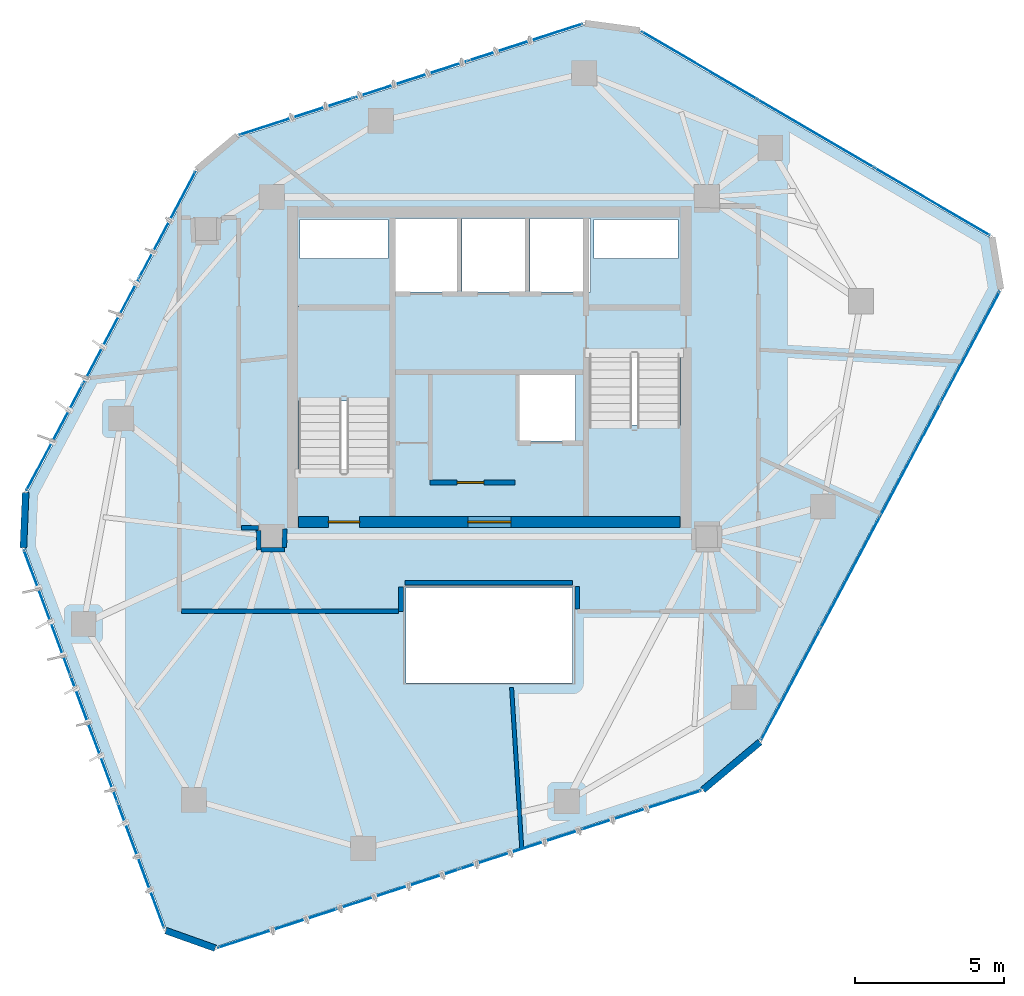
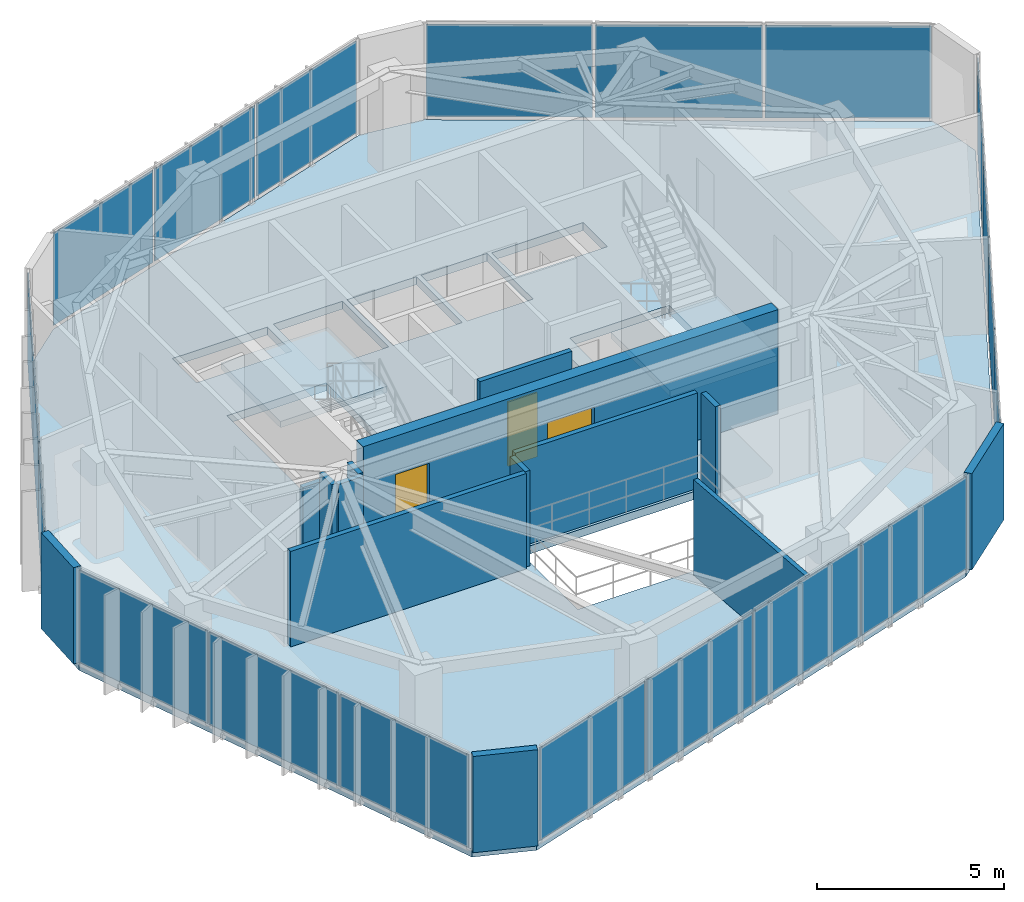
# One storey, part 15 of 19: 20 plates, 14 walls, 3 doors, 3 slabs, 3 openings, 8 elements without a shape of their own.
"""IFC4 building model written with IfcOpenShell, lengths in metres."""

from ifc_helpers import new_model, si_unit, direction, frame, frame_2d, origin, origin_2d, place, context, subcontext, project, spatial, polyline, rectangle, outline, extrude, source, transform, mapped, material, layer, layer_set, type_object, type_shapes, element, fill, aggregate, save


model = new_model("IFC4")

# Units and contexts
model_context = context("Model", 3, precision=1e-05, world=origin(), true_north=direction((0.0, 1.0)))
body_context = subcontext(model_context, "Body", "Model", "MODEL_VIEW")
ifc_project = project(units=[si_unit("LENGTHUNIT", "METRE"), si_unit("AREAUNIT", "SQUARE_METRE"), si_unit("VOLUMEUNIT", "CUBIC_METRE"), si_unit("PLANEANGLEUNIT", "RADIAN"), si_unit("MASSUNIT", "GRAM", prefix="KILO")], contexts=[model_context])

# Site, building, storey
site_placement = place(None, origin())
site = spatial("IfcSite", under=ifc_project, at=site_placement, CompositionType="ELEMENT")
building_placement = place(site_placement, origin())
building = spatial("IfcBuilding", under=site, at=building_placement, Name="Talar Marvaseh", CompositionType="ELEMENT")
storey_placement = place(building_placement, frame((0.0, 0.0, 288.39990234375)))
storey = spatial("IfcBuildingStorey", under=building, at=storey_placement, Name="L77", CompositionType="ELEMENT", Elevation=288.39990234375)

# Stair, slab
ifc_material_1 = material(Name="Concrete C40/50", Category="concrete")
stair_type = type_object("IfcStairType", Name="Reinforced Concrete High-Rise Exit Stair Type C", PredefinedType="HALF_TURN_STAIR", material=ifc_material_1)
stair_1_placement = place(storey_placement, origin())
stair_1 = element("IfcStair", 1, at=stair_1_placement, inside=storey, type_object=stair_type, Name="L77 Tower West Core Exit Stair", PredefinedType="HALF_TURN_STAIR")
ifc_layer_1 = layer(ifc_material_1, 0.199951171875)
ifc_layer_set_1 = layer_set([ifc_layer_1], Name="Concrete C40/50")
slab_type_1 = type_object("IfcSlabType", Name="Reinforced Concrete Stair Half-Landing Slab 200", PredefinedType="LANDING", material=ifc_layer_set_1)
slab_1_placement = place(storey_placement, frame((0.0, 0.0, 1.5)))
slab_1 = element("IfcSlab", 2, at=slab_1_placement, type_object=slab_type_1, Name="ST-1 landing 1", PredefinedType="LANDING", context=body_context, shape_type="SweptSolid", body=[
    extrude(outline(polyline([(22.780029296875, 30.050048828125), (22.780029296875, 33.219970703125), (19.47998046875, 33.219970703125), (19.47998046875, 30.050048828125), (22.780029296875, 30.050048828125)])), origin(), (0.0, 0.0, 1.0), 0.2001953125),
])
aggregate(stair_1, [slab_1])

stair_2_placement = place(storey_placement, origin())
stair_2 = element("IfcStair", 3, at=stair_2_placement, inside=storey, type_object=stair_type, Name="L77 Tower East Core Exit Stair", PredefinedType="HALF_TURN_STAIR")
slab_2_placement = place(storey_placement, frame((0.0, 0.0, 1.5)))
slab_2 = element("IfcSlab", 4, at=slab_2_placement, type_object=slab_type_1, Name="ST-2 landing 1", PredefinedType="LANDING", context=body_context, shape_type="SweptSolid", body=[
    extrude(outline(polyline([(29.219970703125, 29.25), (29.219970703125, 26.080078125), (32.52001953125, 26.080078125), (32.52001953125, 29.25), (29.219970703125, 29.25)])), origin(), (0.0, 0.0, 1.0), 0.2001953125),
])
aggregate(stair_2, [slab_2])

# Slab
ifc_layer_2 = layer(ifc_material_1, 0.260009765625)
ifc_layer_set_2 = layer_set([ifc_layer_2], Name="Concrete C40/50")
slab_type_2 = type_object("IfcSlabType", Name="Structural Suspended Floor Slab 260", PredefinedType="FLOOR", material=ifc_layer_set_2)
slab_3_placement = place(storey_placement, frame((0.0, 0.0, -0.260009765625)))
element("IfcSlab", 5, at=slab_3_placement, inside=storey, type_object=slab_type_2, Name="L77 Tower Floor Slab", PredefinedType="FLOOR", context=body_context, shape_type="SweptSolid", body=[
    extrude(outline(polyline([(16.8271484375, 11.7529296875), (15.1708984375, 12.341796875), (10.43017578125, 25.1259765625), (10.507080078125, 26.980712890625), (16.224609375, 37.764892578125), (17.588623046875, 38.9091796875), (29.20166015625, 42.66748046875), (31.041748046875, 42.4208984375), (42.808349609375, 35.532470703125), (43.1005859375, 33.799072265625), (35.04931640625, 18.662109375), (33.13232421875, 17.053466796875), (16.8271484375, 11.7529296875)]), holes=[polyline([(22.659912109375, 27.64990234375), (22.659912109375, 33.10009765625), (19.60009765625, 33.10009765625), (19.60009765625, 27.64990234375), (22.659912109375, 27.64990234375)]), polyline([(29.340087890625, 31.64990234375), (29.340087890625, 26.199951171875), (32.39990234375, 26.199951171875), (32.39990234375, 31.64990234375), (29.340087890625, 31.64990234375)]), polyline([(22.800048828125, 33.719970703125), (24.93994140625, 33.719970703125), (24.93994140625, 36.179931640625), (22.800048828125, 36.179931640625), (22.800048828125, 33.719970703125)]), polyline([(25.080078125, 33.719970703125), (27.219970703125, 33.719970703125), (27.219970703125, 36.179931640625), (25.080078125, 36.179931640625), (25.080078125, 33.719970703125)]), polyline([(27.360107421875, 33.719970703125), (29.39990234375, 33.719970703125), (29.39990234375, 36.179931640625), (27.360107421875, 36.179931640625), (27.360107421875, 33.719970703125)]), polyline([(27.02001953125, 28.719970703125), (28.89990234375, 28.719970703125), (28.89990234375, 30.93994140625), (27.02001953125, 30.93994140625), (27.02001953125, 28.719970703125)]), polyline([(19.659912109375, 34.840087890625), (22.60009765625, 34.840087890625), (22.60009765625, 36.139892578125), (19.659912109375, 36.139892578125), (19.659912109375, 34.840087890625)]), polyline([(29.52001953125, 34.840087890625), (32.340087890625, 34.840087890625), (32.340087890625, 36.139892578125), (29.52001953125, 36.139892578125), (29.52001953125, 34.840087890625)]), polyline([(23.199951171875, 20.60009765625), (28.800048828125, 20.60009765625), (28.800048828125, 23.800048828125), (23.199951171875, 23.800048828125), (23.199951171875, 20.60009765625)])]), origin(), (0.0, 0.0, 1.0), 0.260009765625),
])

# Curtain wall, plates
ifc_material_2 = material(Name="Architectural Aluminium", Category="aluminium")
ifc_layer_3 = layer(ifc_material_2, 0.179931640625)
ifc_layer_set_3 = layer_set([ifc_layer_3], Name="Architectural Aluminium")
curtain_wall_type = type_object("IfcCurtainWallType", Name="Unitised High-Wind Sky Curtain Wall Z4", PredefinedType="NOTDEFINED", material=ifc_layer_set_3)
curtain_wall_1_placement = place(storey_placement, origin())
curtain_wall_1 = element("IfcCurtainWall", 6, at=curtain_wall_1_placement, inside=storey, type_object=curtain_wall_type, Name="L77 Unitised High-Wind Sky Curtain Wall Z4", PredefinedType="NOTDEFINED")
ifc_material_3 = material(Name="Laminated Low-E Solar Glass", Category="glass")
ifc_layer_4 = layer(ifc_material_3, 0.028076171875)
ifc_layer_set_4 = layer_set([ifc_layer_4], Name="Laminated Low-E Solar Glass")
plate_type = type_object("IfcPlateType", Name="Double-Glazed Low-E Vision Curtain Panel 28", PredefinedType="CURTAIN_PANEL", material=ifc_layer_set_4)
shared_shape_1 = source(origin(), body_context, "Body", "SweptSolid", [
    extrude(rectangle(XDim=4.447509765625, YDim=0.028076171875, at=origin_2d()), origin(), (0.0, 0.0, 1.0), 3.010009765625),
])
plate_1_placement = place(storey_placement, frame((33.047119140625, 41.31640625, 0.06494140625), z_axis=(0.0, 0.0, 1.0), x_axis=(0.862990993638, -0.505219303768, 0.0)))
plate_1 = element("IfcPlate", 7, at=plate_1_placement, type_object=plate_type, Name="CW-Z4 panel 1.1", PredefinedType="CURTAIN_PANEL", context=body_context, shape_type="MappedRepresentation", body=[
    mapped(shared_shape_1, transform((0.0, 0.0, 0.0), x_axis=(1.0, 0.0, 0.0), y_axis=(0.0, 1.0, 0.0), z_axis=(0.0, 0.0, 1.0), scale=1.0)),
])
plate_2_placement = place(storey_placement, frame((40.863525390625, 36.740478515625, 0.06494140625), z_axis=(0.0, 0.0, 1.0), x_axis=(0.862990993638, -0.505219303768, 0.0)))
plate_2 = element("IfcPlate", 8, at=plate_2_placement, type_object=plate_type, Name="CW-Z4 panel 3.1", PredefinedType="CURTAIN_PANEL", context=body_context, shape_type="MappedRepresentation", body=[
    mapped(shared_shape_1, transform((0.0, 0.0, 0.0), x_axis=(1.0, 0.0, 0.0), y_axis=(0.0, 1.0, 0.0), z_axis=(0.0, 0.0, 1.0), scale=1.0)),
])

# Curtain wall, plate
curtain_wall_2_placement = place(storey_placement, origin())
curtain_wall_2 = element("IfcCurtainWall", 9, at=curtain_wall_2_placement, inside=storey, type_object=curtain_wall_type, Name="L77 Unitised High-Wind Sky Curtain Wall Z4", PredefinedType="NOTDEFINED")
shared_shape_2 = source(origin(), body_context, "Body", "SweptSolid", [
    extrude(rectangle(XDim=4.47998046875, YDim=0.028076171875, at=origin_2d()), origin(), (0.0, 0.0, 1.0), 3.010009765625),
])
plate_3_placement = place(storey_placement, frame((12.744140625, 18.712890625, 0.06494140625), z_axis=(0.0, 0.0, 1.0), x_axis=(-0.347687446125, 0.937610494719, 0.0)))
plate_3 = element("IfcPlate", 10, at=plate_3_placement, type_object=plate_type, Name="CW-Z4 panel 2.1", PredefinedType="CURTAIN_PANEL", context=body_context, shape_type="MappedRepresentation", body=[
    mapped(shared_shape_2, transform((0.0, 0.0, 0.0), x_axis=(1.0, 0.0, 0.0), y_axis=(0.0, 1.0, 0.0), z_axis=(0.0, 0.0, 1.0), scale=1.0)),
])

# Plate
plate_4_placement = place(storey_placement, frame((36.955322265625, 39.028564453125, 0.06494140625), z_axis=(0.0, 0.0, 1.0), x_axis=(0.862990993638, -0.505219303768, 0.0)))
plate_4 = element("IfcPlate", 11, at=plate_4_placement, type_object=plate_type, Name="CW-Z4 panel 2.1", PredefinedType="CURTAIN_PANEL", context=body_context, shape_type="MappedRepresentation", body=[
    mapped(shared_shape_2, transform((0.0, 0.0, 0.0), x_axis=(1.0, 0.0, 0.0), y_axis=(0.0, 1.0, 0.0), z_axis=(0.0, 0.0, 1.0), scale=1.0)),
])

aggregate(curtain_wall_1, [plate_1, plate_4, plate_2])

# Curtain wall, plates
curtain_wall_3_placement = place(storey_placement, origin())
curtain_wall_3 = element("IfcCurtainWall", 12, at=curtain_wall_3_placement, inside=storey, type_object=curtain_wall_type, Name="L77 Unitised High-Wind Sky Curtain Wall Z4", PredefinedType="NOTDEFINED")
shared_shape_3 = source(origin(), body_context, "Body", "SweptSolid", [
    extrude(rectangle(XDim=3.97119140625, YDim=0.028076171875, at=origin_2d()), origin(), (0.0, 0.0, 1.0), 3.010009765625),
])
plate_5_placement = place(storey_placement, frame((11.41455078125, 28.820556640625, 0.06494140625), z_axis=(0.0, 0.0, 1.0), x_axis=(0.468420274674, 0.883505770369, 0.0)))
plate_5 = element("IfcPlate", 13, at=plate_5_placement, type_object=plate_type, Name="CW-Z4 panel 1.1", PredefinedType="CURTAIN_PANEL", context=body_context, shape_type="MappedRepresentation", body=[
    mapped(shared_shape_3, transform((0.0, 0.0, 0.0), x_axis=(1.0, 0.0, 0.0), y_axis=(0.0, 1.0, 0.0), z_axis=(0.0, 0.0, 1.0), scale=1.0)),
])
plate_6_placement = place(storey_placement, frame((15.211181640625, 35.981201171875, 0.06494140625), z_axis=(0.0, 0.0, 1.0), x_axis=(0.468420274674, 0.883505770369, 0.0)))
plate_6 = element("IfcPlate", 14, at=plate_6_placement, type_object=plate_type, Name="CW-Z4 panel 3.1", PredefinedType="CURTAIN_PANEL", context=body_context, shape_type="MappedRepresentation", body=[
    mapped(shared_shape_3, transform((0.0, 0.0, 0.0), x_axis=(1.0, 0.0, 0.0), y_axis=(0.0, 1.0, 0.0), z_axis=(0.0, 0.0, 1.0), scale=1.0)),
])

curtain_wall_4_placement = place(storey_placement, origin())
curtain_wall_4 = element("IfcCurtainWall", 15, at=curtain_wall_4_placement, inside=storey, type_object=curtain_wall_type, Name="L77 Unitised High-Wind Sky Curtain Wall Z4", PredefinedType="NOTDEFINED")
plate_7_placement = place(storey_placement, frame((19.52099609375, 39.59765625, 0.06494140625), z_axis=(0.0, 0.0, 1.0), x_axis=(0.951422427346, 0.307888558966, 0.0)))
plate_7 = element("IfcPlate", 16, at=plate_7_placement, type_object=plate_type, Name="CW-Z4 panel 1.1", PredefinedType="CURTAIN_PANEL", context=body_context, shape_type="MappedRepresentation", body=[
    mapped(shared_shape_3, transform((0.0, 0.0, 0.0), x_axis=(1.0, 0.0, 0.0), y_axis=(0.0, 1.0, 0.0), z_axis=(0.0, 0.0, 1.0), scale=1.0)),
])
plate_8_placement = place(storey_placement, frame((27.232177734375, 42.09326171875, 0.06494140625), z_axis=(0.0, 0.0, 1.0), x_axis=(0.951422427346, 0.307888558966, 0.0)))
plate_8 = element("IfcPlate", 17, at=plate_8_placement, type_object=plate_type, Name="CW-Z4 panel 3.1", PredefinedType="CURTAIN_PANEL", context=body_context, shape_type="MappedRepresentation", body=[
    mapped(shared_shape_3, transform((0.0, 0.0, 0.0), x_axis=(1.0, 0.0, 0.0), y_axis=(0.0, 1.0, 0.0), z_axis=(0.0, 0.0, 1.0), scale=1.0)),
])

# Plate
shared_shape_4 = source(origin(), body_context, "Body", "SweptSolid", [
    extrude(rectangle(XDim=4.003662109375, YDim=0.028076171875, at=origin_2d()), origin(), (0.0, 0.0, 1.0), 3.010009765625),
])
plate_9_placement = place(storey_placement, frame((13.312744140625, 32.40087890625, 0.06494140625), z_axis=(0.0, 0.0, 1.0), x_axis=(0.468420274674, 0.883505770369, 0.0)))
plate_9 = element("IfcPlate", 18, at=plate_9_placement, type_object=plate_type, Name="CW-Z4 panel 2.1", PredefinedType="CURTAIN_PANEL", context=body_context, shape_type="MappedRepresentation", body=[
    mapped(shared_shape_4, transform((0.0, 0.0, 0.0), x_axis=(1.0, 0.0, 0.0), y_axis=(0.0, 1.0, 0.0), z_axis=(0.0, 0.0, 1.0), scale=1.0)),
])

aggregate(curtain_wall_3, [plate_5, plate_9, plate_6])

plate_10_placement = place(storey_placement, frame((23.376708984375, 40.845458984375, 0.06494140625), z_axis=(0.0, 0.0, 1.0), x_axis=(0.951422427346, 0.307888558966, 0.0)))
plate_10 = element("IfcPlate", 19, at=plate_10_placement, type_object=plate_type, Name="CW-Z4 panel 2.1", PredefinedType="CURTAIN_PANEL", context=body_context, shape_type="MappedRepresentation", body=[
    mapped(shared_shape_4, transform((0.0, 0.0, 0.0), x_axis=(1.0, 0.0, 0.0), y_axis=(0.0, 1.0, 0.0), z_axis=(0.0, 0.0, 1.0), scale=1.0)),
])

aggregate(curtain_wall_4, [plate_7, plate_10, plate_8])

# Curtain wall, plates
curtain_wall_5_placement = place(storey_placement, origin())
curtain_wall_5 = element("IfcCurtainWall", 20, at=curtain_wall_5_placement, inside=storey, type_object=curtain_wall_type, Name="L77 Unitised High-Wind Sky Curtain Wall Z4", PredefinedType="NOTDEFINED")
shared_shape_5 = source(origin(), body_context, "Body", "SweptSolid", [
    extrude(rectangle(XDim=4.188720703125, YDim=0.028076171875, at=origin_2d()), origin(), (0.0, 0.0, 1.0), 3.010009765625),
])
plate_11_placement = place(storey_placement, frame((42.1396484375, 31.8642578125, 0.06494140625), z_axis=(0.0, 0.0, 1.0), x_axis=(-0.469604073854, -0.882877122718, 0.0)))
plate_11 = element("IfcPlate", 21, at=plate_11_placement, type_object=plate_type, Name="CW-Z4 panel 1.1", PredefinedType="CURTAIN_PANEL", context=body_context, shape_type="MappedRepresentation", body=[
    mapped(shared_shape_5, transform((0.0, 0.0, 0.0), x_axis=(1.0, 0.0, 0.0), y_axis=(0.0, 1.0, 0.0), z_axis=(0.0, 0.0, 1.0), scale=1.0)),
])
plate_12_placement = place(storey_placement, frame((36.116455078125, 20.540283203125, 0.06494140625), z_axis=(0.0, 0.0, 1.0), x_axis=(-0.469604073854, -0.882877122718, 0.0)))
plate_12 = element("IfcPlate", 22, at=plate_12_placement, type_object=plate_type, Name="CW-Z4 panel 4.1", PredefinedType="CURTAIN_PANEL", context=body_context, shape_type="MappedRepresentation", body=[
    mapped(shared_shape_5, transform((0.0, 0.0, 0.0), x_axis=(1.0, 0.0, 0.0), y_axis=(0.0, 1.0, 0.0), z_axis=(0.0, 0.0, 1.0), scale=1.0)),
])

curtain_wall_6_placement = place(storey_placement, origin())
curtain_wall_6 = element("IfcCurtainWall", 23, at=curtain_wall_6_placement, inside=storey, type_object=curtain_wall_type, Name="L77 Unitised High-Wind Sky Curtain Wall Z4", PredefinedType="NOTDEFINED")
plate_13_placement = place(storey_placement, frame((31.09716796875, 16.328857421875, 0.06494140625), z_axis=(0.0, 0.0, 1.0), x_axis=(-0.95100933406, -0.309162168659, 0.0)))
plate_13 = element("IfcPlate", 24, at=plate_13_placement, type_object=plate_type, Name="CW-Z4 panel 1.1", PredefinedType="CURTAIN_PANEL", context=body_context, shape_type="MappedRepresentation", body=[
    mapped(shared_shape_5, transform((0.0, 0.0, 0.0), x_axis=(1.0, 0.0, 0.0), y_axis=(0.0, 1.0, 0.0), z_axis=(0.0, 0.0, 1.0), scale=1.0)),
])
plate_14_placement = place(storey_placement, frame((18.899169921875, 12.36328125, 0.06494140625), z_axis=(0.0, 0.0, 1.0), x_axis=(-0.95100933406, -0.309162168659, 0.0)))
plate_14 = element("IfcPlate", 25, at=plate_14_placement, type_object=plate_type, Name="CW-Z4 panel 4.1", PredefinedType="CURTAIN_PANEL", context=body_context, shape_type="MappedRepresentation", body=[
    mapped(shared_shape_5, transform((0.0, 0.0, 0.0), x_axis=(1.0, 0.0, 0.0), y_axis=(0.0, 1.0, 0.0), z_axis=(0.0, 0.0, 1.0), scale=1.0)),
])

# Plate
shared_shape_6 = source(origin(), body_context, "Body", "SweptSolid", [
    extrude(rectangle(XDim=4.22119140625, YDim=0.028076171875, at=origin_2d()), origin(), (0.0, 0.0, 1.0), 3.010009765625),
])
plate_15_placement = place(storey_placement, frame((40.134521484375, 28.094482421875, 0.06494140625), z_axis=(0.0, 0.0, 1.0), x_axis=(-0.469604073854, -0.882877122718, 0.0)))
plate_15 = element("IfcPlate", 26, at=plate_15_placement, type_object=plate_type, Name="CW-Z4 panel 2.1", PredefinedType="CURTAIN_PANEL", context=body_context, shape_type="MappedRepresentation", body=[
    mapped(shared_shape_6, transform((0.0, 0.0, 0.0), x_axis=(1.0, 0.0, 0.0), y_axis=(0.0, 1.0, 0.0), z_axis=(0.0, 0.0, 1.0), scale=1.0)),
])

plate_16_placement = place(storey_placement, frame((38.12158203125, 24.31005859375, 0.06494140625), z_axis=(0.0, 0.0, 1.0), x_axis=(-0.469604073854, -0.882877122718, 0.0)))
plate_16 = element("IfcPlate", 27, at=plate_16_placement, type_object=plate_type, Name="CW-Z4 panel 3.1", PredefinedType="CURTAIN_PANEL", context=body_context, shape_type="MappedRepresentation", body=[
    mapped(shared_shape_6, transform((0.0, 0.0, 0.0), x_axis=(1.0, 0.0, 0.0), y_axis=(0.0, 1.0, 0.0), z_axis=(0.0, 0.0, 1.0), scale=1.0)),
])

aggregate(curtain_wall_5, [plate_11, plate_15, plate_16, plate_12])

plate_17_placement = place(storey_placement, frame((27.036376953125, 15.0087890625, 0.06494140625), z_axis=(0.0, 0.0, 1.0), x_axis=(-0.95100933406, -0.309162168659, 0.0)))
plate_17 = element("IfcPlate", 28, at=plate_17_placement, type_object=plate_type, Name="CW-Z4 panel 2.1", PredefinedType="CURTAIN_PANEL", context=body_context, shape_type="MappedRepresentation", body=[
    mapped(shared_shape_6, transform((0.0, 0.0, 0.0), x_axis=(1.0, 0.0, 0.0), y_axis=(0.0, 1.0, 0.0), z_axis=(0.0, 0.0, 1.0), scale=1.0)),
])

plate_18_placement = place(storey_placement, frame((22.960205078125, 13.68359375, 0.06494140625), z_axis=(0.0, 0.0, 1.0), x_axis=(-0.95100933406, -0.309162168659, 0.0)))
plate_18 = element("IfcPlate", 29, at=plate_18_placement, type_object=plate_type, Name="CW-Z4 panel 3.1", PredefinedType="CURTAIN_PANEL", context=body_context, shape_type="MappedRepresentation", body=[
    mapped(shared_shape_6, transform((0.0, 0.0, 0.0), x_axis=(1.0, 0.0, 0.0), y_axis=(0.0, 1.0, 0.0), z_axis=(0.0, 0.0, 1.0), scale=1.0)),
])

aggregate(curtain_wall_6, [plate_13, plate_17, plate_18, plate_14])

shared_shape_7 = source(origin(), body_context, "Body", "SweptSolid", [
    extrude(rectangle(XDim=4.447265625, YDim=0.028076171875, at=origin_2d()), origin(), (0.0, 0.0, 1.0), 3.010009765625),
])
type_shapes(plate_type, [shared_shape_1, shared_shape_2, shared_shape_3, shared_shape_4, shared_shape_5, shared_shape_6, shared_shape_7])
plate_19_placement = place(storey_placement, frame((14.31884765625, 14.466796875, 0.06494140625), z_axis=(0.0, 0.0, 1.0), x_axis=(-0.347687446125, 0.937610494719, 0.0)))
plate_19 = element("IfcPlate", 30, at=plate_19_placement, type_object=plate_type, Name="CW-Z4 panel 1.1", PredefinedType="CURTAIN_PANEL", context=body_context, shape_type="MappedRepresentation", body=[
    mapped(shared_shape_7, transform((0.0, 0.0, 0.0), x_axis=(1.0, 0.0, 0.0), y_axis=(0.0, 1.0, 0.0), z_axis=(0.0, 0.0, 1.0), scale=1.0)),
])

plate_20_placement = place(storey_placement, frame((11.169677734375, 22.958984375, 0.06494140625), z_axis=(0.0, 0.0, 1.0), x_axis=(-0.347687446125, 0.937610494719, 0.0)))
plate_20 = element("IfcPlate", 31, at=plate_20_placement, type_object=plate_type, Name="CW-Z4 panel 3.1", PredefinedType="CURTAIN_PANEL", context=body_context, shape_type="MappedRepresentation", body=[
    mapped(shared_shape_7, transform((0.0, 0.0, 0.0), x_axis=(1.0, 0.0, 0.0), y_axis=(0.0, 1.0, 0.0), z_axis=(0.0, 0.0, 1.0), scale=1.0)),
])

aggregate(curtain_wall_2, [plate_19, plate_3, plate_20])

# Walls
ifc_material_4 = material(Name="Precast concrete C45/55", Category="concrete")
ifc_layer_5 = layer(ifc_material_4, 0.22509765625)
ifc_layer_set_5 = layer_set([ifc_layer_5], Name="Precast concrete C45/55")
wall_type_1 = type_object("IfcWallType", Name="Chamfered Hexagonal Corner Pier Wall Z4 225", PredefinedType="SOLIDWALL", material=ifc_layer_set_5)
wall_1_placement = place(storey_placement, frame((16.80712890625, 11.6962890625, 0.0), z_axis=(0.0, 0.0, 1.0), x_axis=(-0.942190336414, 0.335078155014, 0.0)))
element("IfcWall", 32, at=wall_1_placement, inside=storey, type_object=wall_type_1, Name="L77 Chamfered Corner Limestone Pier 1", PredefinedType="SOLIDWALL", context=body_context, shape_type="SweptSolid", body=[
    extrude(rectangle(XDim=1.758056640625, YDim=0.22509765625, at=frame_2d((0.87890625, 0.0))), origin(), (0.0, 0.0, 1.0), 3.14013671875),
])
wall_2_placement = place(storey_placement, frame((10.370361328125, 25.12841796875, 0.0), z_axis=(0.0, 0.0, 1.0), x_axis=(0.041422695344, 0.999141711826, 0.0)))
element("IfcWall", 33, at=wall_2_placement, inside=storey, type_object=wall_type_1, Name="L77 Chamfered Corner Limestone Pier 2", PredefinedType="SOLIDWALL", context=body_context, shape_type="SweptSolid", body=[
    extrude(rectangle(XDim=1.856689453125, YDim=0.22509765625, at=frame_2d((0.92822265625, 0.0))), origin(), (0.0, 0.0, 1.0), 3.14013671875),
])
wall_3_placement = place(storey_placement, frame((35.087890625, 18.615966796875, 0.0), z_axis=(0.0, 0.0, 1.0), x_axis=(-0.766073761918, -0.642752667284, 0.0)))
element("IfcWall", 34, at=wall_3_placement, inside=storey, type_object=wall_type_1, Name="L77 Chamfered Corner Limestone Pier 6", PredefinedType="SOLIDWALL", context=body_context, shape_type="SweptSolid", body=[
    extrude(rectangle(XDim=2.50244140625, YDim=0.22509765625, at=frame_2d((1.251220703125, 0.0))), origin(), (0.0, 0.0, 1.0), 3.14013671875),
])

# Wall, opening, door
ifc_material_5 = material(Name="Gypsum Board Partition Assembly")
ifc_layer_6 = layer(ifc_material_5, 0.155029296875)
ifc_layer_set_6 = layer_set([ifc_layer_6], Name="Gypsum Board Partition Assembly")
wall_type_2 = type_object("IfcWallType", Name="Corridor Fire-Rated Acoustic Partition 155", PredefinedType="PARTITIONING", material=ifc_layer_set_6)
wall_4_placement = place(storey_placement, frame((24.02001953125, 27.320068359375, 0.0), z_axis=(0.0, 0.0, 1.0), x_axis=(1.0, 0.0, 0.0)))
wall_4 = element("IfcWall", 35, at=wall_4_placement, inside=storey, type_object=wall_type_2, Name="L77 Core BOH Partition", PredefinedType="PARTITIONING", context=body_context, shape_type="SweptSolid", body=[
    extrude(rectangle(XDim=2.840087890625, YDim=0.155029296875, at=frame_2d((1.419921875, 0.0))), origin(), (0.0, 0.0, 1.0), 3.114990234375),
])
opening_1_placement = place(wall_4_placement, frame((0.89990234375, 0.0, 0.0)))
opening_1 = element("IfcOpeningElement", 36, at=opening_1_placement, cuts=wall_4, Name="Opening DR-BOH090", PredefinedType="OPENING", context=body_context, shape_type="SweptSolid", body=[
    extrude(rectangle(XDim=0.89990234375, YDim=2.10009765625, at=frame_2d((0.449951171875, 1.050048828125))), frame((0.0, 0.08740234375, 0.0), z_axis=(0.0, -1.0, 0.0), x_axis=(1.0, 0.0, 0.0)), (0.0, 0.0, 1.0), 0.175048828125),
])
ifc_material_6 = material(Name="Fire-Rated Steel Door Leaf", Category="steel")
door_type_1 = type_object("IfcDoorType", Name="Core Back-of-House Service Door 900x2100", OperationType="NOTDEFINED", PredefinedType="DOOR", material=ifc_material_6)
shared_shape_8 = source(origin(), body_context, "Body", "SweptSolid", [
    extrude(rectangle(XDim=0.89990234375, YDim=2.10009765625, at=frame_2d((0.449951171875, 1.050048828125))), frame((0.0, 0.02490234375, 0.0), z_axis=(0.0, -1.0, 0.0), x_axis=(1.0, 0.0, 0.0)), (0.0, 0.0, 1.0), 0.050048828125),
])
type_shapes(door_type_1, [shared_shape_8])
door_1_placement = place(opening_1_placement, origin())
door_1 = element("IfcDoor", 37, at=door_1_placement, inside=storey, type_object=door_type_1, Name="L77 Store Sky Curatorial Vault Door", OperationType="SINGLE_SWING_LEFT", OverallHeight=2.10009765625, OverallWidth=0.89990234375, PredefinedType="DOOR", context=body_context, shape_type="MappedRepresentation", body=[
    mapped(shared_shape_8, transform((0.0, 0.0, 0.0), x_axis=(1.0, 0.0, 0.0), y_axis=(0.0, 1.0, 0.0), z_axis=(0.0, 0.0, 1.0), scale=1.0)),
])
fill(opening_1, door_1)

# Walls
wall_5_placement = place(storey_placement, frame((17.68359375, 25.800048828125, 0.0), z_axis=(0.0, 0.0, 1.0), x_axis=(1.0, 0.0, 0.0)))
element("IfcWall", 38, at=wall_5_placement, inside=storey, type_object=wall_type_2, Name="L77 Interior Partition Wall", PredefinedType="PARTITIONING", context=body_context, shape_type="SweptSolid", body=[
    extrude(rectangle(XDim=0.576416015625, YDim=0.155029296875, at=frame_2d((0.2880859375, 0.0))), origin(), (0.0, 0.0, 1.0), 2.802001953125),
])
wall_6_placement = place(storey_placement, frame((18.260986328125, 25.716552734375, 0.0), z_axis=(0.0, 0.0, 1.0), x_axis=(0.010439401276, -0.999945507966, 0.0)))
element("IfcWall", 39, at=wall_6_placement, inside=storey, type_object=wall_type_2, Name="L77 Interior Partition Wall", PredefinedType="PARTITIONING", context=body_context, shape_type="SweptSolid", body=[
    extrude(rectangle(XDim=0.65478515625, YDim=0.155029296875, at=frame_2d((0.327392578125, 0.0))), origin(), (0.0, 0.0, 1.0), 3.114990234375),
])
wall_7_placement = place(storey_placement, frame((18.351318359375, 25.0615234375, 0.0), z_axis=(0.0, 0.0, 1.0), x_axis=(0.999998207633, -0.001893338355, 0.0)))
element("IfcWall", 40, at=wall_7_placement, inside=storey, type_object=wall_type_2, Name="L77 Interior Partition Wall", PredefinedType="PARTITIONING", context=body_context, shape_type="SweptSolid", body=[
    extrude(rectangle(XDim=0.773681640625, YDim=0.155029296875, at=frame_2d((0.38671875, 0.0))), origin(), (0.0, 0.0, 1.0), 3.114990234375),
])
wall_8_placement = place(storey_placement, frame((19.126708984375, 25.1435546875, 0.0), z_axis=(0.0, 0.0, 1.0), x_axis=(0.021238324089, 0.999774441357, 0.0)))
element("IfcWall", 41, at=wall_8_placement, inside=storey, type_object=wall_type_2, Name="L77 Interior Partition Wall", PredefinedType="PARTITIONING", context=body_context, shape_type="SweptSolid", body=[
    extrude(rectangle(XDim=0.620849609375, YDim=0.155029296875, at=frame_2d((0.310546875, 0.0))), origin(), (0.0, 0.0, 1.0), 3.114990234375),
])
wall_9_placement = place(storey_placement, frame((28.959716796875, 23.08349609375, 0.0), z_axis=(0.0, 0.0, 1.0), x_axis=(-0.003917697652, 0.999992325793, 0.0)))
element("IfcWall", 42, at=wall_9_placement, inside=storey, type_object=wall_type_2, Name="L77 Interior Partition Wall", PredefinedType="PARTITIONING", context=body_context, shape_type="SweptSolid", body=[
    extrude(rectangle(XDim=0.747802734375, YDim=0.155029296875, at=frame_2d((0.3740234375, 0.0))), origin(), (0.0, 0.0, 1.0), 3.114990234375),
])
wall_10_placement = place(storey_placement, frame((28.800048828125, 23.9599609375, 0.0), z_axis=(0.0, 0.0, 1.0), x_axis=(-0.999999841177, -0.000563600015, 0.0)))
element("IfcWall", 43, at=wall_10_placement, inside=storey, type_object=wall_type_2, Name="L77 Interior Partition Wall", PredefinedType="PARTITIONING", context=body_context, shape_type="SweptSolid", body=[
    extrude(rectangle(XDim=5.63134765625, YDim=0.155029296875, at=frame_2d((2.815673828125, 0.0))), origin(), (0.0, 0.0, 1.0), 3.114990234375),
])
wall_11_placement = place(storey_placement, frame((23.040771484375, 23.815673828125, 0.0), z_axis=(0.0, 0.0, 1.0), x_axis=(-0.000897934388, -0.999999596857, 0.0)))
element("IfcWall", 44, at=wall_11_placement, inside=storey, type_object=wall_type_2, Name="L77 Interior Partition Wall", PredefinedType="PARTITIONING", context=body_context, shape_type="SweptSolid", body=[
    extrude(rectangle(XDim=0.815673828125, YDim=0.155029296875, at=frame_2d((0.40771484375, 0.0))), origin(), (0.0, 0.0, 1.0), 3.114990234375),
])
wall_12_placement = place(storey_placement, frame((22.95654296875, 23.0, 0.0), z_axis=(0.0, 0.0, 1.0), x_axis=(-1.0, 0.0, 0.0)))
element("IfcWall", 45, at=wall_12_placement, inside=storey, type_object=wall_type_2, Name="L77 Interior Partition Wall", PredefinedType="PARTITIONING", context=body_context, shape_type="SweptSolid", body=[
    extrude(rectangle(XDim=7.27294921875, YDim=0.155029296875, at=frame_2d((3.636474609375, 0.0))), origin(), (0.0, 0.0, 1.0), 3.114990234375),
])
ifc_layer_7 = layer(ifc_material_5, 0.135009765625)
ifc_layer_set_7 = layer_set([ifc_layer_7], Name="Gypsum Board Partition Assembly")
wall_type_3 = type_object("IfcWallType", Name="Gallery High-Acoustic Partition 135", PredefinedType="PARTITIONING", material=ifc_layer_set_7)
wall_13_placement = place(storey_placement, frame((26.75, 20.43994140625, 0.0), z_axis=(0.0, 0.0, 1.0), x_axis=(0.06322005785, -0.997999611365, 0.0)))
element("IfcWall", 46, at=wall_13_placement, inside=storey, type_object=wall_type_3, Name="L77 Interior Partition Wall", PredefinedType="PARTITIONING", context=body_context, shape_type="SweptSolid", body=[
    extrude(rectangle(XDim=5.398681640625, YDim=0.135009765625, at=frame_2d((2.69921875, 0.0))), origin(), (0.0, 0.0, 1.0), 3.114990234375),
])

# Wall, openings, doors
ifc_material_7 = material(Name="Concrete C50/60", Category="concrete")
ifc_layer_8 = layer(ifc_material_7, 0.360107421875)
ifc_layer_set_8 = layer_set([ifc_layer_8], Name="Concrete C50/60")
wall_type_4 = type_object("IfcWallType", Name="Upper Core Reinforced Concrete Shear Wall 360", PredefinedType="SHEAR", material=ifc_layer_set_8)
wall_14_placement = place(storey_placement, frame((32.39990234375, 26.0, 0.0), z_axis=(0.0, 0.0, 1.0), x_axis=(-1.0, 0.0, 0.0)))
wall_14 = element("IfcWall", 47, at=wall_14_placement, inside=storey, type_object=wall_type_4, Name="L77 South Core Shear Wall", PredefinedType="SHEAR", context=body_context, shape_type="SweptSolid", body=[
    extrude(rectangle(XDim=12.7998046875, YDim=0.360107421875, at=frame_2d((6.39990234375, 0.0))), origin(), (0.0, 0.0, 1.0), 3.400146484375),
])
opening_2_placement = place(wall_14_placement, frame((10.75, 0.0, 0.0)))
opening_2 = element("IfcOpeningElement", 48, at=opening_2_placement, cuts=wall_14, Name="Opening DR-ST105", PredefinedType="OPENING", context=body_context, shape_type="SweptSolid", body=[
    extrude(rectangle(XDim=1.050048828125, YDim=2.14990234375, at=frame_2d((0.52490234375, 1.074951171875))), frame((0.0, 0.18994140625, 0.0), z_axis=(0.0, -1.0, 0.0), x_axis=(1.0, 0.0, 0.0)), (0.0, 0.0, 1.0), 0.380126953125),
])
opening_3_placement = place(wall_14_placement, frame((5.669921875, 0.0, 0.0)))
opening_3 = element("IfcOpeningElement", 49, at=opening_3_placement, cuts=wall_14, Name="Opening DR-LBY145", PredefinedType="OPENING", context=body_context, shape_type="SweptSolid", body=[
    extrude(rectangle(XDim=1.449951171875, YDim=2.199951171875, at=frame_2d((0.72509765625, 1.10009765625))), frame((0.0, 0.18994140625, 0.0), z_axis=(0.0, -1.0, 0.0), x_axis=(1.0, 0.0, 0.0)), (0.0, 0.0, 1.0), 0.380126953125),
])
door_type_2 = type_object("IfcDoorType", Name="Protected Exit Stair Fire Door 1050x2150", OperationType="NOTDEFINED", PredefinedType="DOOR", material=ifc_material_6)
shared_shape_9 = source(origin(), body_context, "Body", "SweptSolid", [
    extrude(rectangle(XDim=1.050048828125, YDim=2.14990234375, at=frame_2d((0.52490234375, 1.074951171875))), frame((0.0, 0.02490234375, 0.0), z_axis=(0.0, -1.0, 0.0), x_axis=(1.0, 0.0, 0.0)), (0.0, 0.0, 1.0), 0.050048828125),
])
type_shapes(door_type_2, [shared_shape_9])
door_2_placement = place(opening_2_placement, origin())
door_2 = element("IfcDoor", 50, at=door_2_placement, inside=storey, type_object=door_type_2, Name="L77 Stair ST-1 Exit Door", OperationType="SINGLE_SWING_RIGHT", OverallHeight=2.14990234375, OverallWidth=1.050048828125, PredefinedType="DOOR", context=body_context, shape_type="MappedRepresentation", body=[
    mapped(shared_shape_9, transform((0.0, 0.0, 0.0), x_axis=(1.0, 0.0, 0.0), y_axis=(0.0, 1.0, 0.0), z_axis=(0.0, 0.0, 1.0), scale=1.0)),
])
fill(opening_2, door_2)
door_type_3 = type_object("IfcDoorType", Name="Core Lift Lobby Double Smoke Door 1450x2200", OperationType="NOTDEFINED", PredefinedType="DOOR", material=ifc_material_6)
shared_shape_10 = source(origin(), body_context, "Body", "SweptSolid", [
    extrude(rectangle(XDim=1.449951171875, YDim=2.199951171875, at=frame_2d((0.72509765625, 1.10009765625))), frame((0.0, 0.02490234375, 0.0), z_axis=(0.0, -1.0, 0.0), x_axis=(1.0, 0.0, 0.0)), (0.0, 0.0, 1.0), 0.050048828125),
])
type_shapes(door_type_3, [shared_shape_10])
door_3_placement = place(opening_3_placement, origin())
door_3 = element("IfcDoor", 51, at=door_3_placement, inside=storey, type_object=door_type_3, Name="L77 Passenger Lift Lobby Entrance Door", OperationType="DOUBLE_DOOR_SINGLE_SWING", OverallHeight=2.199951171875, OverallWidth=1.449951171875, PredefinedType="DOOR", context=body_context, shape_type="MappedRepresentation", body=[
    mapped(shared_shape_10, transform((0.0, 0.0, 0.0), x_axis=(1.0, 0.0, 0.0), y_axis=(0.0, 1.0, 0.0), z_axis=(0.0, 0.0, 1.0), scale=1.0)),
])
fill(opening_3, door_3)

save(model, "model.ifc")
